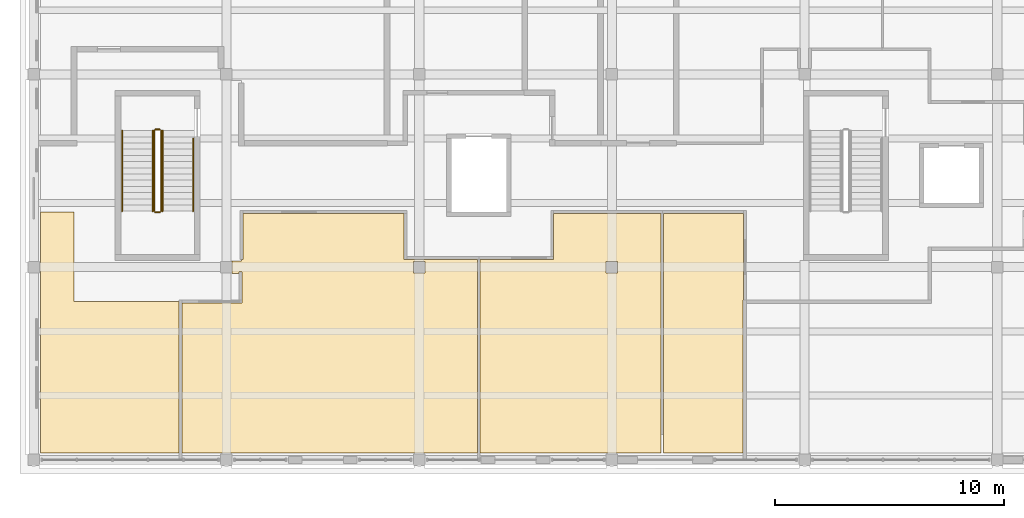
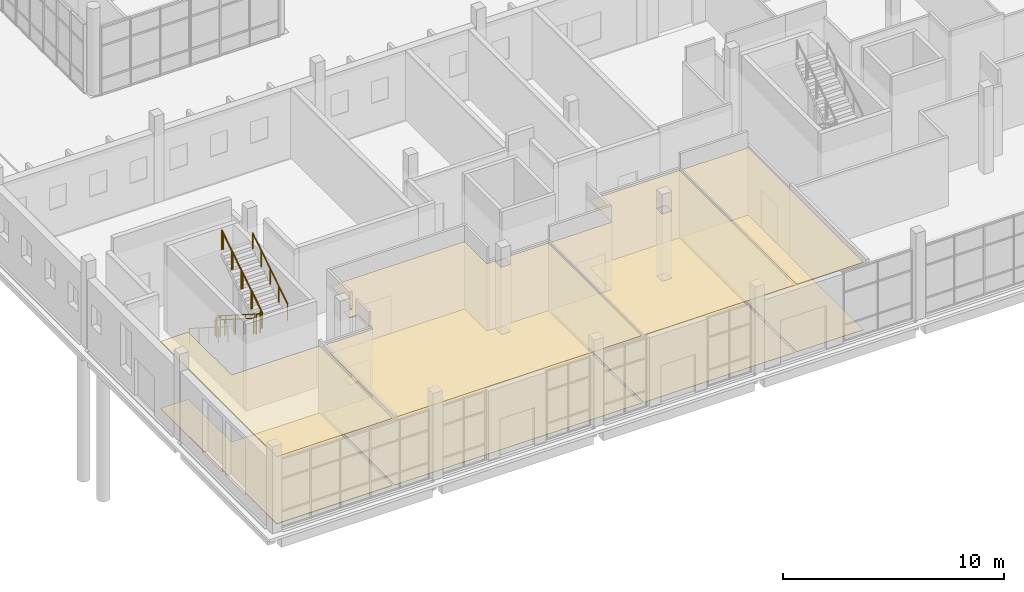
# One storey, part 78 of 110: 8 coverings, 8 railings.
"""IFC4 building model written with IfcOpenShell, lengths in metres."""

from ifc_helpers import new_model, si_unit, direction, frame, origin, origin_2d, place, context, subcontext, project, spatial, polyline, circle, outline, extrude, material, layer, layer_set, type_object, element, save


model = new_model("IFC4")

# Units and contexts
model_context = context("Model", 3, precision=1e-05, world=origin(), true_north=direction((0.0, 1.0)))
body_context = subcontext(model_context, "Body", "Model", "MODEL_VIEW")
ifc_project = project(units=[si_unit("LENGTHUNIT", "METRE"), si_unit("AREAUNIT", "SQUARE_METRE"), si_unit("VOLUMEUNIT", "CUBIC_METRE"), si_unit("PLANEANGLEUNIT", "RADIAN"), si_unit("MASSUNIT", "GRAM", prefix="KILO")], contexts=[model_context])

# Site, building, storey
site_placement = place(None, origin())
site = spatial("IfcSite", under=ifc_project, at=site_placement, CompositionType="ELEMENT")
building_placement = place(site_placement, origin())
building = spatial("IfcBuilding", under=site, at=building_placement, Name="Larchfold Concert Hall", CompositionType="ELEMENT")
storey_placement = place(building_placement, origin())
storey = spatial("IfcBuildingStorey", under=building, at=storey_placement, Name="L00", CompositionType="ELEMENT", Elevation=0.0)

# Coverings
ifc_material_1 = material(Name="Plasterboard ceiling lining")
ifc_layer_1 = layer(ifc_material_1, 0.030029296875)
ifc_layer_set_1 = layer_set([ifc_layer_1], Name="Plasterboard ceiling lining")
covering_type_1 = type_object("IfcCoveringType", Name="Ceiling suspended plasterboard 30", PredefinedType="CEILING", material=ifc_layer_set_1)
covering_1_placement = place(storey_placement, frame((0.0, 0.0, 3.7099609375)))
element("IfcCovering", 1, at=covering_1_placement, inside=storey, type_object=covering_type_1, Name="Ceiling Street Wing Foyer", PredefinedType="CEILING", context=body_context, shape_type="SweptSolid", body=[
    extrude(outline(polyline([(0.900146484375, 0.900146484375), (6.9375, 0.900146484375), (6.9375, 7.5), (2.349853515625, 7.5), (2.349853515625, 11.39990234375), (0.900146484375, 11.39990234375), (0.900146484375, 0.900146484375)])), origin(), (0.0, 0.0, 1.0), 0.030029296875),
])
covering_2_placement = place(storey_placement, frame((0.0, 0.0, 3.7099609375)))
element("IfcCovering", 2, at=covering_2_placement, inside=storey, type_object=covering_type_1, Name="Ceiling Cafe", PredefinedType="CEILING", context=body_context, shape_type="SweptSolid", body=[
    extrude(outline(polyline([(9.24853515625, 8.72998046875), (9.556396484375, 8.72998046875), (9.556396484375, 8.79248046875), (9.681396484375, 8.79248046875), (9.681396484375, 7.4375), (7.0625, 7.4375), (7.0625, 0.900146484375), (19.949951171875, 0.900146484375), (19.949951171875, 9.33740234375), (16.737548828125, 9.33740234375), (16.737548828125, 11.33740234375), (9.71240234375, 11.33740234375), (9.71240234375, 9.33251953125), (9.650146484375, 9.33251953125), (9.650146484375, 9.27001953125), (9.24365234375, 9.26953125), (9.21240234375, 9.2529296875), (9.25, 9.25), (9.25, 8.75), (9.211181640625, 8.75), (9.24853515625, 8.72998046875)]), holes=[polyline([(17.64990234375, 8.75), (17.14990234375, 8.75), (17.14990234375, 9.25), (17.64990234375, 9.25), (17.64990234375, 8.75)])]), origin(), (0.0, 0.0, 1.0), 0.030029296875),
])
covering_3_placement = place(storey_placement, frame((0.0, 0.0, 3.7099609375)))
element("IfcCovering", 3, at=covering_3_placement, inside=storey, type_object=covering_type_1, Name="Ceiling Shop", PredefinedType="CEILING", context=body_context, shape_type="SweptSolid", body=[
    extrude(outline(polyline([(20.050048828125, 0.900146484375), (27.949951171875, 0.900146484375), (27.949951171875, 11.33740234375), (23.262451171875, 11.33740234375), (23.262451171875, 9.33740234375), (20.050048828125, 9.33740234375), (20.050048828125, 0.900146484375)]), holes=[polyline([(25.550048828125, 9.25), (26.050048828125, 9.25), (26.050048828125, 8.75), (25.550048828125, 8.75), (25.550048828125, 9.25)])]), origin(), (0.0, 0.0, 1.0), 0.030029296875),
])
covering_4_placement = place(storey_placement, frame((0.0, 0.0, 3.7099609375)))
element("IfcCovering", 4, at=covering_4_placement, inside=storey, type_object=covering_type_1, Name="Ceiling Box Office Counter", PredefinedType="CEILING", context=body_context, shape_type="SweptSolid", body=[
    extrude(outline(polyline([(28.050048828125, 0.900146484375), (31.525146484375, 0.900146484375), (31.525146484375, 7.574951171875), (31.53759765625, 7.574951171875), (31.53759765625, 11.33740234375), (28.050048828125, 11.33740234375), (28.050048828125, 0.900146484375)])), origin(), (0.0, 0.0, 1.0), 0.030029296875),
])
ifc_material_2 = material(Name="Polished terrazzo")
ifc_layer_2 = layer(ifc_material_2, 0.0400390625)
ifc_layer_set_2 = layer_set([ifc_layer_2], Name="Polished terrazzo")
covering_type_2 = type_object("IfcCoveringType", Name="Floor finish terrazzo 40", PredefinedType="FLOORING", material=ifc_layer_set_2)
covering_5_placement = place(storey_placement, origin())
element("IfcCovering", 5, at=covering_5_placement, inside=storey, type_object=covering_type_2, Name="Floor finish Street Wing Foyer", PredefinedType="FLOORING", context=body_context, shape_type="SweptSolid", body=[
    extrude(outline(polyline([(0.900146484375, 0.900146484375), (6.9375, 0.900146484375), (6.9375, 7.5), (2.349853515625, 7.5), (2.349853515625, 11.39990234375), (0.900146484375, 11.39990234375), (0.900146484375, 0.900146484375)])), origin(), (0.0, 0.0, 1.0), 0.0400390625),
])
ifc_material_3 = material(Name="Linoleum sheet")
ifc_layer_3 = layer(ifc_material_3, 0.02001953125)
ifc_layer_set_3 = layer_set([ifc_layer_3], Name="Linoleum sheet")
covering_type_3 = type_object("IfcCoveringType", Name="Floor finish vinyl 20", PredefinedType="FLOORING", material=ifc_layer_set_3)
covering_6_placement = place(storey_placement, origin())
element("IfcCovering", 6, at=covering_6_placement, inside=storey, type_object=covering_type_3, Name="Floor finish Cafe", PredefinedType="FLOORING", context=body_context, shape_type="SweptSolid", body=[
    extrude(outline(polyline([(9.24853515625, 8.72998046875), (9.556396484375, 8.72998046875), (9.556396484375, 8.79248046875), (9.681396484375, 8.79248046875), (9.681396484375, 7.4375), (7.0625, 7.4375), (7.0625, 0.900146484375), (19.949951171875, 0.900146484375), (19.949951171875, 9.33740234375), (16.737548828125, 9.33740234375), (16.737548828125, 11.33740234375), (9.71240234375, 11.33740234375), (9.71240234375, 9.33251953125), (9.650146484375, 9.33251953125), (9.650146484375, 9.27001953125), (9.24365234375, 9.26953125), (9.21240234375, 9.2529296875), (9.25, 9.25), (9.25, 8.75), (9.211181640625, 8.75), (9.24853515625, 8.72998046875)]), holes=[polyline([(17.64990234375, 8.75), (17.14990234375, 8.75), (17.14990234375, 9.25), (17.64990234375, 9.25), (17.64990234375, 8.75)])]), origin(), (0.0, 0.0, 1.0), 0.02001953125),
])
covering_7_placement = place(storey_placement, origin())
element("IfcCovering", 7, at=covering_7_placement, inside=storey, type_object=covering_type_3, Name="Floor finish Shop", PredefinedType="FLOORING", context=body_context, shape_type="SweptSolid", body=[
    extrude(outline(polyline([(20.050048828125, 0.900146484375), (27.949951171875, 0.900146484375), (27.949951171875, 11.33740234375), (23.262451171875, 11.33740234375), (23.262451171875, 9.33740234375), (20.050048828125, 9.33740234375), (20.050048828125, 0.900146484375)]), holes=[polyline([(25.550048828125, 9.25), (26.050048828125, 9.25), (26.050048828125, 8.75), (25.550048828125, 8.75), (25.550048828125, 9.25)])]), origin(), (0.0, 0.0, 1.0), 0.02001953125),
])
covering_8_placement = place(storey_placement, origin())
element("IfcCovering", 8, at=covering_8_placement, inside=storey, type_object=covering_type_3, Name="Floor finish Box Office Counter", PredefinedType="FLOORING", context=body_context, shape_type="SweptSolid", body=[
    extrude(outline(polyline([(28.050048828125, 0.900146484375), (31.525146484375, 0.900146484375), (31.525146484375, 7.574951171875), (31.53759765625, 7.574951171875), (31.53759765625, 11.33740234375), (28.050048828125, 11.33740234375), (28.050048828125, 0.900146484375)])), origin(), (0.0, 0.0, 1.0), 0.02001953125),
])

# Railings
ifc_material_4 = material(Name="Stainless steel balustrade", Category="steel")
railing_type_1 = type_object("IfcRailingType", Name="Stair guard 1100", PredefinedType="GUARDRAIL", material=ifc_material_4)
railing_1_placement = place(storey_placement, frame((5.849853515625, 14.949951171875, 0.17138671875)))
element("IfcRailing", 9, at=railing_1_placement, inside=storey, type_object=railing_type_1, Name="Guard GR0085", PredefinedType="GUARDRAIL", context=body_context, shape_type="SweptSolid", body=[
    extrude(circle(Radius=0.02392578125, at=origin_2d()), frame((0.0, 0.0, 1.076171875), z_axis=(0.0, -0.844219563411, 0.53599750816), x_axis=(1.0, 0.0, 0.0)), (0.0, 0.0, 1.0), 4.15771484375),
    extrude(circle(Radius=0.02099609375, at=origin_2d()), origin(), (0.0, 0.0, 1.0), 1.052001953125),
    extrude(circle(Radius=0.02099609375, at=origin_2d()), frame((0.0, -0.87744140625, 0.55712890625)), (0.0, 0.0, 1.0), 1.052001953125),
    extrude(circle(Radius=0.02099609375, at=origin_2d()), frame((0.0, -1.7548828125, 1.1142578125)), (0.0, 0.0, 1.0), 1.052001953125),
    extrude(circle(Radius=0.02099609375, at=origin_2d()), frame((0.0, -2.632568359375, 1.67138671875)), (0.0, 0.0, 1.0), 1.052001953125),
    extrude(circle(Radius=0.02099609375, at=origin_2d()), frame((0.0, -3.510009765625, 2.228515625)), (0.0, 0.0, 1.0), 1.052001953125),
])
railing_2_placement = place(storey_placement, frame((5.89990234375, 11.389892578125, 2.39990234375)))
element("IfcRailing", 10, at=railing_2_placement, inside=storey, type_object=railing_type_1, Name="Guard GR0086", PredefinedType="GUARDRAIL", context=body_context, shape_type="SweptSolid", body=[
    extrude(circle(Radius=0.02392578125, at=origin_2d()), frame((0.0, 0.0, 1.076171875), z_axis=(1.0, 0.0, 0.0), x_axis=(0.0, 1.0, 0.0)), (0.0, 0.0, 1.0), 0.199951171875),
    extrude(circle(Radius=0.02099609375, at=origin_2d()), origin(), (0.0, 0.0, 1.0), 1.052001953125),
    extrude(circle(Radius=0.02099609375, at=origin_2d()), frame((0.199951171875, 0.0, 0.0)), (0.0, 0.0, 1.0), 1.052001953125),
])
railing_3_placement = place(storey_placement, frame((6.14990234375, 11.43994140625, 2.571533203125)))
element("IfcRailing", 11, at=railing_3_placement, inside=storey, type_object=railing_type_1, Name="Guard GR0087", PredefinedType="GUARDRAIL", context=body_context, shape_type="SweptSolid", body=[
    extrude(circle(Radius=0.02392578125, at=origin_2d()), frame((0.0, 0.0, 1.076171875), z_axis=(0.0, 0.844219563411, 0.53599750816), x_axis=(-1.0, 0.0, 0.0)), (0.0, 0.0, 1.0), 4.15771484375),
    extrude(circle(Radius=0.02099609375, at=origin_2d()), origin(), (0.0, 0.0, 1.0), 1.052001953125),
    extrude(circle(Radius=0.02099609375, at=origin_2d()), frame((0.0, 0.87744140625, 0.55712890625)), (0.0, 0.0, 1.0), 1.052001953125),
    extrude(circle(Radius=0.02099609375, at=origin_2d()), frame((0.0, 1.7548828125, 1.1142578125)), (0.0, 0.0, 1.0), 1.052001953125),
    extrude(circle(Radius=0.02099609375, at=origin_2d()), frame((0.0, 2.632568359375, 1.67138671875)), (0.0, 0.0, 1.0), 1.052001953125),
    extrude(circle(Radius=0.02099609375, at=origin_2d()), frame((0.0, 3.510009765625, 2.228515625)), (0.0, 0.0, 1.0), 1.052001953125),
])
railing_4_placement = place(storey_placement, frame((5.89990234375, 15.0, 0.0)))
element("IfcRailing", 12, at=railing_4_placement, inside=storey, type_object=railing_type_1, Name="Guard GR0088", PredefinedType="GUARDRAIL", context=body_context, shape_type="SweptSolid", body=[
    extrude(circle(Radius=0.02392578125, at=origin_2d()), frame((0.0, 0.0, 1.076171875), z_axis=(1.0, 0.0, 0.0), x_axis=(0.0, 1.0, 0.0)), (0.0, 0.0, 1.0), 0.199951171875),
    extrude(circle(Radius=0.02099609375, at=origin_2d()), origin(), (0.0, 0.0, 1.0), 1.052001953125),
    extrude(circle(Radius=0.02099609375, at=origin_2d()), frame((0.199951171875, 0.0, 0.0)), (0.0, 0.0, 1.0), 1.052001953125),
])
ifc_material_5 = material(Name="Stainless steel handrail", Category="steel")
railing_type_2 = type_object("IfcRailingType", Name="Stair handrail 900", PredefinedType="HANDRAIL", material=ifc_material_5)
railing_5_placement = place(storey_placement, frame((4.449951171875, 14.949951171875, 0.17138671875)))
element("IfcRailing", 13, at=railing_5_placement, inside=storey, type_object=railing_type_2, Name="Handrail HR0081", PredefinedType="HANDRAIL", context=body_context, shape_type="SweptSolid", body=[
    extrude(circle(Radius=0.02392578125, at=origin_2d()), frame((0.0, 0.0, 0.8759765625), z_axis=(0.0, -0.844219563411, 0.53599750816), x_axis=(1.0, 0.0, 0.0)), (0.0, 0.0, 1.0), 4.15771484375),
    extrude(circle(Radius=0.02099609375, at=origin_2d()), origin(), (0.0, 0.0, 1.0), 0.851806640625),
    extrude(circle(Radius=0.02099609375, at=origin_2d()), frame((0.0, -0.87744140625, 0.55712890625)), (0.0, 0.0, 1.0), 0.851806640625),
    extrude(circle(Radius=0.02099609375, at=origin_2d()), frame((0.0, -1.7548828125, 1.1142578125)), (0.0, 0.0, 1.0), 0.851806640625),
    extrude(circle(Radius=0.02099609375, at=origin_2d()), frame((0.0, -2.632568359375, 1.67138671875)), (0.0, 0.0, 1.0), 0.851806640625),
    extrude(circle(Radius=0.02099609375, at=origin_2d()), frame((0.0, -3.510009765625, 2.228515625)), (0.0, 0.0, 1.0), 0.851806640625),
])
railing_6_placement = place(storey_placement, frame((7.5498046875, 11.43994140625, 2.571533203125)))
element("IfcRailing", 14, at=railing_6_placement, inside=storey, type_object=railing_type_2, Name="Handrail HR0082", PredefinedType="HANDRAIL", context=body_context, shape_type="SweptSolid", body=[
    extrude(circle(Radius=0.02392578125, at=origin_2d()), frame((0.0, 0.0, 0.8759765625), z_axis=(0.0, 0.844224994989, 0.535988953092), x_axis=(-1.0, 0.0, 0.0)), (0.0, 0.0, 1.0), 3.7431640625),
    extrude(circle(Radius=0.02099609375, at=origin_2d()), origin(), (0.0, 0.0, 1.0), 0.851806640625),
    extrude(circle(Radius=0.02099609375, at=origin_2d()), frame((0.0, 0.7900390625, 0.50146484375)), (0.0, 0.0, 1.0), 0.851806640625),
    extrude(circle(Radius=0.02099609375, at=origin_2d()), frame((0.0, 1.580078125, 1.003173828125)), (0.0, 0.0, 1.0), 0.851806640625),
    extrude(circle(Radius=0.02099609375, at=origin_2d()), frame((0.0, 2.3701171875, 1.5048828125)), (0.0, 0.0, 1.0), 0.851806640625),
    extrude(circle(Radius=0.02099609375, at=origin_2d()), frame((0.0, 3.16015625, 2.00634765625)), (0.0, 0.0, 1.0), 0.851806640625),
])
railing_7_placement = place(storey_placement, frame((5.77978515625, 14.949951171875, 0.17138671875)))
element("IfcRailing", 15, at=railing_7_placement, inside=storey, type_object=railing_type_2, Name="Handrail HR0083", PredefinedType="HANDRAIL", context=body_context, shape_type="SweptSolid", body=[
    extrude(circle(Radius=0.02392578125, at=origin_2d()), frame((0.0, 0.0, 0.8759765625), z_axis=(0.0, -0.844219563411, 0.53599750816), x_axis=(1.0, 0.0, 0.0)), (0.0, 0.0, 1.0), 4.15771484375),
    extrude(circle(Radius=0.02099609375, at=origin_2d()), origin(), (0.0, 0.0, 1.0), 0.851806640625),
    extrude(circle(Radius=0.02099609375, at=origin_2d()), frame((0.0, -0.87744140625, 0.55712890625)), (0.0, 0.0, 1.0), 0.851806640625),
    extrude(circle(Radius=0.02099609375, at=origin_2d()), frame((0.0, -1.7548828125, 1.1142578125)), (0.0, 0.0, 1.0), 0.851806640625),
    extrude(circle(Radius=0.02099609375, at=origin_2d()), frame((0.0, -2.632568359375, 1.67138671875)), (0.0, 0.0, 1.0), 0.851806640625),
    extrude(circle(Radius=0.02099609375, at=origin_2d()), frame((0.0, -3.510009765625, 2.228515625)), (0.0, 0.0, 1.0), 0.851806640625),
])
railing_8_placement = place(storey_placement, frame((6.219970703125, 11.43994140625, 2.571533203125)))
element("IfcRailing", 16, at=railing_8_placement, inside=storey, type_object=railing_type_2, Name="Handrail HR0084", PredefinedType="HANDRAIL", context=body_context, shape_type="SweptSolid", body=[
    extrude(circle(Radius=0.02392578125, at=origin_2d()), frame((0.0, 0.0, 0.8759765625), z_axis=(0.0, 0.844219563411, 0.53599750816), x_axis=(-1.0, 0.0, 0.0)), (0.0, 0.0, 1.0), 4.15771484375),
    extrude(circle(Radius=0.02099609375, at=origin_2d()), origin(), (0.0, 0.0, 1.0), 0.851806640625),
    extrude(circle(Radius=0.02099609375, at=origin_2d()), frame((0.0, 0.87744140625, 0.55712890625)), (0.0, 0.0, 1.0), 0.851806640625),
    extrude(circle(Radius=0.02099609375, at=origin_2d()), frame((0.0, 1.7548828125, 1.1142578125)), (0.0, 0.0, 1.0), 0.851806640625),
    extrude(circle(Radius=0.02099609375, at=origin_2d()), frame((0.0, 2.632568359375, 1.67138671875)), (0.0, 0.0, 1.0), 0.851806640625),
    extrude(circle(Radius=0.02099609375, at=origin_2d()), frame((0.0, 3.510009765625, 2.228515625)), (0.0, 0.0, 1.0), 0.851806640625),
])

save(model, "model.ifc")
